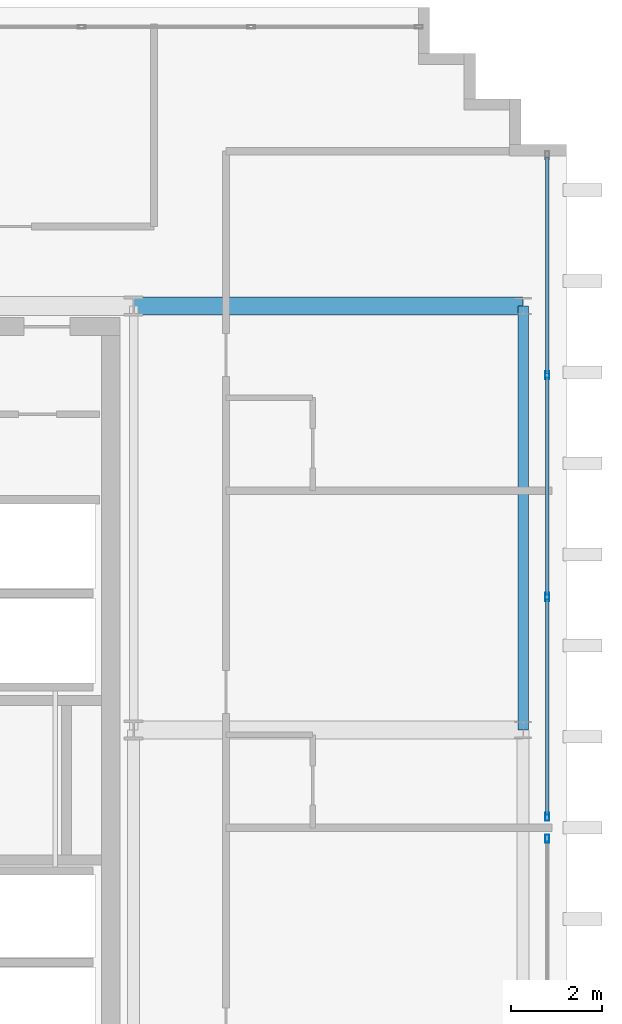
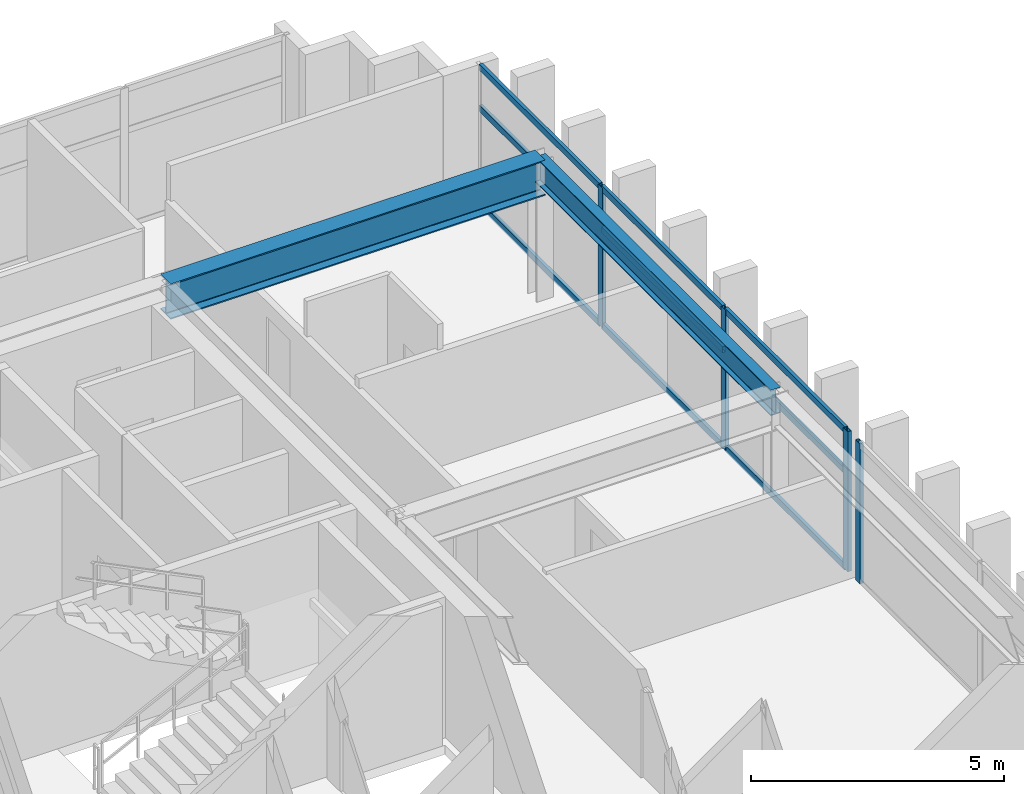
# One storey, part 8 of 15: 13 members, 2 beams, 2 elements without a shape of their own.
"""IFC4 building model written with IfcOpenShell, lengths in metres."""

from ifc_helpers import new_model, si_unit, direction, frame, origin, origin_2d, place, context, subcontext, project, spatial, hollow_rectangle, i_section, extrude, source, transform, mapped, material, layer, layer_set, material_profile, profile_set, type_object, element, aggregate, save


model = new_model("IFC4")

# Units and contexts
model_context = context("Model", 3, precision=1e-05, world=origin(), true_north=direction((0.0, 1.0)))
body_context = subcontext(model_context, "Body", "Model", "MODEL_VIEW")
ifc_project = project(units=[si_unit("LENGTHUNIT", "METRE"), si_unit("AREAUNIT", "SQUARE_METRE"), si_unit("VOLUMEUNIT", "CUBIC_METRE"), si_unit("PLANEANGLEUNIT", "RADIAN"), si_unit("MASSUNIT", "GRAM", prefix="KILO")], contexts=[model_context])

# Site, building, storey
site_placement = place(None, origin())
site = spatial("IfcSite", under=ifc_project, at=site_placement, CompositionType="ELEMENT")
building_placement = place(site_placement, origin())
building = spatial("IfcBuilding", under=site, at=building_placement, Name="Ocotamira Hotel", CompositionType="ELEMENT")
storey_placement = place(building_placement, frame((0.0, 0.0, 290.39990234375)))
storey = spatial("IfcBuildingStorey", under=building, at=storey_placement, Name="L74", CompositionType="ELEMENT", Elevation=290.39990234375)

# Beams
ifc_material_1 = material(Name="Steel ASTM A992 Grade 50", Category="steel")
ifc_material_profile_1 = material_profile(ifc_material_1, i_section(OverallWidth=0.22998046875, OverallDepth=0.616943359375, WebThickness=0.01318359375, FlangeThickness=0.022216796875, FilletRadius=0.012939453125, at=origin_2d()), Name="W24X94")
ifc_profile_set_1 = profile_set([ifc_material_profile_1], Name="Steel ASTM A992 Grade 50")
beam_type_1 = type_object("IfcBeamType", Name="BM-PRIM-W24X94", PredefinedType="BEAM", material=ifc_profile_set_1)
shared_shape_1 = source(origin(), body_context, "Body", "SweptSolid", [
    extrude(i_section(OverallWidth=0.22998046875, OverallDepth=0.616943359375, WebThickness=0.01318359375, FlangeThickness=0.022216796875, FilletRadius=0.012939453125, at=origin_2d()), origin(), (0.0, 0.0, 1.0), 9.300048828125),
])
beam_1_placement = place(storey_placement, frame((32.050048828125, 28.14990234375, 3.071533203125), z_axis=(0.0, 1.0, 0.0), x_axis=(-1.0, 0.0, 0.0)))
element("IfcBeam", 1, at=beam_1_placement, inside=storey, type_object=beam_type_1, Name="L74 Beam X32.05 Y28.15-37.45", PredefinedType="BEAM", context=body_context, shape_type="MappedRepresentation", body=[
    mapped(shared_shape_1, transform((0.0, 0.0, 0.0), scale=1.0)),
])
ifc_material_profile_2 = material_profile(ifc_material_1, i_section(OverallWidth=0.39990234375, OverallDepth=0.85595703125, WebThickness=0.018310546875, FlangeThickness=0.029296875, FilletRadius=0.02001953125, at=origin_2d()), Name="W33X201")
ifc_profile_set_2 = profile_set([ifc_material_profile_2], Name="Steel ASTM A992 Grade 50")
beam_type_2 = type_object("IfcBeamType", Name="BM-GIRD-W33X201", PredefinedType="BEAM", material=ifc_profile_set_2)
shared_shape_2 = source(origin(), body_context, "Body", "SweptSolid", [
    extrude(i_section(OverallWidth=0.39990234375, OverallDepth=0.85595703125, WebThickness=0.018310546875, FlangeThickness=0.029296875, FilletRadius=0.02001953125, at=origin_2d()), origin(), (0.0, 0.0, 1.0), 8.550048828125),
])
beam_2_placement = place(storey_placement, frame((23.5, 37.449951171875, 2.9521484375), z_axis=(1.0, 0.0, 0.0), x_axis=(0.0, 1.0, 0.0)))
element("IfcBeam", 2, at=beam_2_placement, inside=storey, type_object=beam_type_2, Name="L74 Girder Y37.45 X23.5-32.05", PredefinedType="BEAM", context=body_context, shape_type="MappedRepresentation", body=[
    mapped(shared_shape_2, transform((0.0, 0.0, 0.0), scale=1.0)),
])

# Curtain wall, member
ifc_material_2 = material(Name="Anodised pale-metal aluminium and solar glass", Category="aluminium")
ifc_layer = layer(ifc_material_2, 0.2099609375)
ifc_layer_set = layer_set([ifc_layer], Name="Anodised pale-metal aluminium and solar glass")
curtain_wall_type = type_object("IfcCurtainWallType", Name="CW-SYS7-PEAK", PredefinedType="NOTDEFINED", material=ifc_layer_set)
curtain_wall_1_placement = place(storey_placement, origin())
curtain_wall_1 = element("IfcCurtainWall", 3, at=curtain_wall_1_placement, inside=storey, type_object=curtain_wall_type, Name="L74 Curtain Wall CW-7 CW-L74-E1", PredefinedType="NOTDEFINED")
ifc_material_3 = material(Name="Anodised pale-metal aluminium 6063-T6", Category="aluminium")
ifc_material_profile_3 = material_profile(ifc_material_3, hollow_rectangle(XDim=0.080078125, YDim=0.179931640625, WallThickness=0.006103515625, at=origin_2d()), Name="HSS180X80X6")
ifc_profile_set_3 = profile_set([ifc_material_profile_3], Name="Anodised pale-metal aluminium 6063-T6")
member_type_1 = type_object("IfcMemberType", Name="CWM-180X75", PredefinedType="MULLION", material=ifc_profile_set_3)
shared_shape_3 = source(origin(), body_context, "Body", "SweptSolid", [
    extrude(hollow_rectangle(XDim=0.080078125, YDim=0.179931640625, WallThickness=0.006103515625, at=origin_2d()), origin(), (0.0, 0.0, 1.0), 3.380126953125),
])
member_1_placement = place(storey_placement, frame((32.580078125, 25.760009765625, 0.0), z_axis=(0.0, 0.0, 1.0), x_axis=(-1.0, 0.0, 0.0)))
member_1 = element("IfcMember", 4, at=member_1_placement, type_object=member_type_1, Name="CW-7 mullion 4", PredefinedType="MULLION", context=body_context, shape_type="MappedRepresentation", body=[
    mapped(shared_shape_3, transform((0.0, 0.0, 0.0), scale=1.0)),
])
aggregate(curtain_wall_1, [member_1])

# Curtain wall, members
curtain_wall_2_placement = place(storey_placement, origin())
curtain_wall_2 = element("IfcCurtainWall", 5, at=curtain_wall_2_placement, inside=storey, type_object=curtain_wall_type, Name="L74 Curtain Wall CW-7 CW-L74-E2", PredefinedType="NOTDEFINED")
member_2_placement = place(storey_placement, frame((32.580078125, 26.239990234375, 0.0), z_axis=(0.0, 0.0, 1.0), x_axis=(-1.0, 0.0, 0.0)))
member_2 = element("IfcMember", 6, at=member_2_placement, type_object=member_type_1, Name="CW-7 mullion 1", PredefinedType="MULLION", context=body_context, shape_type="MappedRepresentation", body=[
    mapped(shared_shape_3, transform((0.0, 0.0, 0.0), scale=1.0)),
])
member_3_placement = place(storey_placement, frame((32.580078125, 31.066650390625, 0.0), z_axis=(0.0, 0.0, 1.0), x_axis=(-1.0, 0.0, 0.0)))
member_3 = element("IfcMember", 7, at=member_3_placement, type_object=member_type_1, Name="CW-7 mullion 2", PredefinedType="MULLION", context=body_context, shape_type="MappedRepresentation", body=[
    mapped(shared_shape_3, transform((0.0, 0.0, 0.0), scale=1.0)),
])
member_4_placement = place(storey_placement, frame((32.580078125, 35.933349609375, 0.0), z_axis=(0.0, 0.0, 1.0), x_axis=(-1.0, 0.0, 0.0)))
member_4 = element("IfcMember", 8, at=member_4_placement, type_object=member_type_1, Name="CW-7 mullion 3", PredefinedType="MULLION", context=body_context, shape_type="MappedRepresentation", body=[
    mapped(shared_shape_3, transform((0.0, 0.0, 0.0), scale=1.0)),
])
ifc_material_profile_4 = material_profile(ifc_material_3, hollow_rectangle(XDim=0.074951171875, YDim=0.14990234375, WallThickness=0.006103515625, at=origin_2d()), Name="HSS150X75X6")
ifc_profile_set_4 = profile_set([ifc_material_profile_4], Name="Anodised pale-metal aluminium 6063-T6")
member_type_2 = type_object("IfcMemberType", Name="CWT-150X75", PredefinedType="USERDEFINED", material=ifc_profile_set_4)
shared_shape_4 = source(origin(), body_context, "Body", "SweptSolid", [
    extrude(hollow_rectangle(XDim=0.074951171875, YDim=0.14990234375, WallThickness=0.006103515625, at=origin_2d()), origin(), (0.0, 0.0, 1.0), 4.74658203125),
])
member_5_placement = place(storey_placement, frame((32.580078125, 26.280029296875, 0.03759765625), z_axis=(0.0, 1.0, 0.0), x_axis=(-1.0, 0.0, 0.0)))
member_5 = element("IfcMember", 9, at=member_5_placement, type_object=member_type_2, Name="CW-7 transom 1.1", ObjectType="TRANSOM", PredefinedType="USERDEFINED", context=body_context, shape_type="MappedRepresentation", body=[
    mapped(shared_shape_4, transform((0.0, 0.0, 0.0), scale=1.0)),
])
member_6_placement = place(storey_placement, frame((32.580078125, 26.280029296875, 2.35009765625), z_axis=(0.0, 1.0, 0.0), x_axis=(-1.0, 0.0, 0.0)))
member_6 = element("IfcMember", 10, at=member_6_placement, type_object=member_type_2, Name="CW-7 transom 1.2", ObjectType="TRANSOM", PredefinedType="USERDEFINED", context=body_context, shape_type="MappedRepresentation", body=[
    mapped(shared_shape_4, transform((0.0, 0.0, 0.0), scale=1.0)),
])
member_7_placement = place(storey_placement, frame((32.580078125, 26.280029296875, 3.342529296875), z_axis=(0.0, 1.0, 0.0), x_axis=(-1.0, 0.0, 0.0)))
member_7 = element("IfcMember", 11, at=member_7_placement, type_object=member_type_2, Name="CW-7 transom 1.3", ObjectType="TRANSOM", PredefinedType="USERDEFINED", context=body_context, shape_type="MappedRepresentation", body=[
    mapped(shared_shape_4, transform((0.0, 0.0, 0.0), scale=1.0)),
])
member_8_placement = place(storey_placement, frame((32.580078125, 35.973388671875, 0.03759765625), z_axis=(0.0, 1.0, 0.0), x_axis=(-1.0, 0.0, 0.0)))
member_8 = element("IfcMember", 12, at=member_8_placement, type_object=member_type_2, Name="CW-7 transom 3.1", ObjectType="TRANSOM", PredefinedType="USERDEFINED", context=body_context, shape_type="MappedRepresentation", body=[
    mapped(shared_shape_4, transform((0.0, 0.0, 0.0), scale=1.0)),
])
member_9_placement = place(storey_placement, frame((32.580078125, 35.973388671875, 2.35009765625), z_axis=(0.0, 1.0, 0.0), x_axis=(-1.0, 0.0, 0.0)))
member_9 = element("IfcMember", 13, at=member_9_placement, type_object=member_type_2, Name="CW-7 transom 3.2", ObjectType="TRANSOM", PredefinedType="USERDEFINED", context=body_context, shape_type="MappedRepresentation", body=[
    mapped(shared_shape_4, transform((0.0, 0.0, 0.0), scale=1.0)),
])
member_10_placement = place(storey_placement, frame((32.580078125, 35.973388671875, 3.342529296875), z_axis=(0.0, 1.0, 0.0), x_axis=(-1.0, 0.0, 0.0)))
member_10 = element("IfcMember", 14, at=member_10_placement, type_object=member_type_2, Name="CW-7 transom 3.3", ObjectType="TRANSOM", PredefinedType="USERDEFINED", context=body_context, shape_type="MappedRepresentation", body=[
    mapped(shared_shape_4, transform((0.0, 0.0, 0.0), scale=1.0)),
])
shared_shape_5 = source(origin(), body_context, "Body", "SweptSolid", [
    extrude(hollow_rectangle(XDim=0.074951171875, YDim=0.14990234375, WallThickness=0.006103515625, at=origin_2d()), origin(), (0.0, 0.0, 1.0), 4.78662109375),
])
member_11_placement = place(storey_placement, frame((32.580078125, 31.106689453125, 0.03759765625), z_axis=(0.0, 1.0, 0.0), x_axis=(-1.0, 0.0, 0.0)))
member_11 = element("IfcMember", 15, at=member_11_placement, type_object=member_type_2, Name="CW-7 transom 2.1", ObjectType="TRANSOM", PredefinedType="USERDEFINED", context=body_context, shape_type="MappedRepresentation", body=[
    mapped(shared_shape_5, transform((0.0, 0.0, 0.0), scale=1.0)),
])
member_12_placement = place(storey_placement, frame((32.580078125, 31.106689453125, 2.35009765625), z_axis=(0.0, 1.0, 0.0), x_axis=(-1.0, 0.0, 0.0)))
member_12 = element("IfcMember", 16, at=member_12_placement, type_object=member_type_2, Name="CW-7 transom 2.2", ObjectType="TRANSOM", PredefinedType="USERDEFINED", context=body_context, shape_type="MappedRepresentation", body=[
    mapped(shared_shape_5, transform((0.0, 0.0, 0.0), scale=1.0)),
])
member_13_placement = place(storey_placement, frame((32.580078125, 31.106689453125, 3.342529296875), z_axis=(0.0, 1.0, 0.0), x_axis=(-1.0, 0.0, 0.0)))
member_13 = element("IfcMember", 17, at=member_13_placement, type_object=member_type_2, Name="CW-7 transom 2.3", ObjectType="TRANSOM", PredefinedType="USERDEFINED", context=body_context, shape_type="MappedRepresentation", body=[
    mapped(shared_shape_5, transform((0.0, 0.0, 0.0), scale=1.0)),
])
aggregate(curtain_wall_2, [member_2, member_3, member_4, member_5, member_6, member_7, member_11, member_12, member_13, member_8, member_9, member_10])

save(model, "model.ifc")
